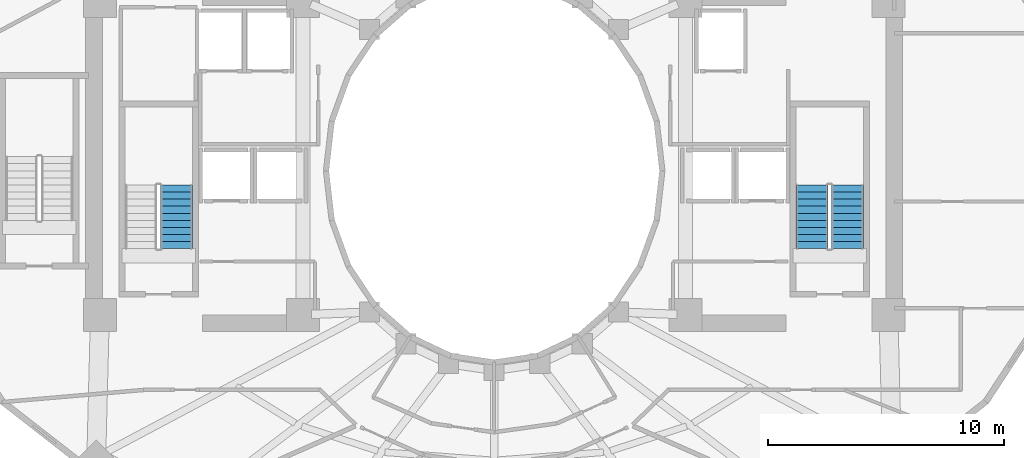
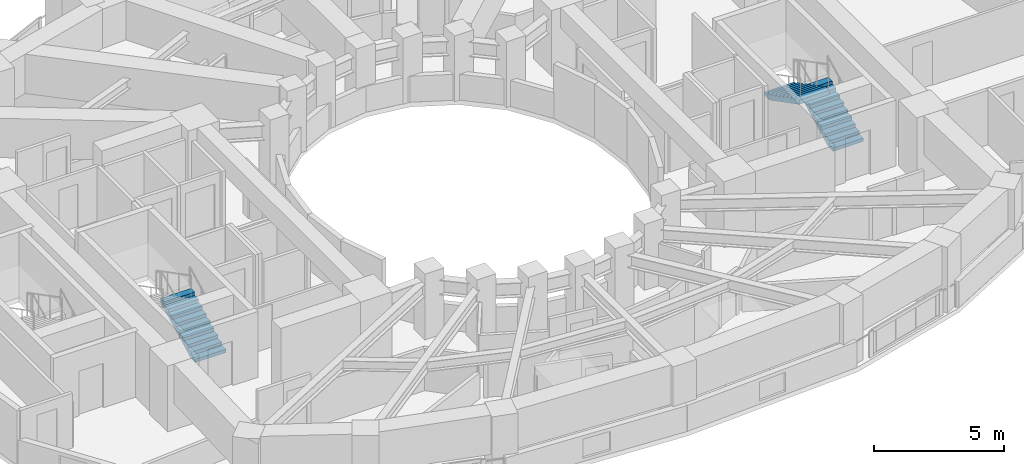
# One storey, part 13 of 16: 3 stair flights, 2 elements without a shape of their own.
"""IFC4 building model written with IfcOpenShell, lengths in metres."""

from ifc_helpers import new_model, si_unit, direction, frame, origin, place, context, subcontext, project, spatial, polyline, outline, extrude, material, type_object, element, aggregate, save


model = new_model("IFC4")

# Units and contexts
model_context = context("Model", 3, precision=1e-05, world=origin(), true_north=direction((0.0, 1.0)))
body_context = subcontext(model_context, "Body", "Model", "MODEL_VIEW")
ifc_project = project(units=[si_unit("LENGTHUNIT", "METRE"), si_unit("AREAUNIT", "SQUARE_METRE"), si_unit("VOLUMEUNIT", "CUBIC_METRE"), si_unit("PLANEANGLEUNIT", "RADIAN"), si_unit("MASSUNIT", "GRAM", prefix="KILO")], contexts=[model_context])

# Site, building, storey
site_placement = place(None, origin())
site = spatial("IfcSite", under=ifc_project, at=site_placement, CompositionType="ELEMENT")
building_placement = place(site_placement, origin())
building = spatial("IfcBuilding", under=site, at=building_placement, Name="Solvane Sanctuary Tower", CompositionType="ELEMENT")
storey_placement = place(building_placement, frame((0.0, 0.0, 119.699951171875)))
storey = spatial("IfcBuildingStorey", under=building, at=storey_placement, Name="L36", CompositionType="ELEMENT", Elevation=119.699951171875)

# Stair, stair flight
ifc_material = material(Name="Concrete C45/55", Category="concrete")
stair_type = type_object("IfcStairType", Name="Stair ST-TOW", PredefinedType="HALF_TURN_STAIR", material=ifc_material)
stair_1_placement = place(storey_placement, origin())
stair_1 = element("IfcStair", 1, at=stair_1_placement, inside=storey, type_object=stair_type, Name="L36 Exit Stair ST-1 West Core", PredefinedType="HALF_TURN_STAIR")
stair_flight_type = type_object("IfcStairFlightType", Name="StairFlight SF-TOW", PredefinedType="STRAIGHT", material=ifc_material)
stair_flight_1_placement = place(storey_placement, frame((18.544921875, 19.699951171875, 0.0), z_axis=(0.0, 0.0, 1.0), x_axis=(0.0, 1.0, 0.0)))
stair_flight_1 = element("IfcStairFlight", 2, at=stair_flight_1_placement, type_object=stair_flight_type, Name="ST-1 flight 1", NumberOfRisers=10, NumberOfTreads=9, PredefinedType="STRAIGHT", RiserHeight=0.155, TreadLength=0.3, context=body_context, shape_type="SweptSolid", body=[
    extrude(outline(polyline([(0.0, 0.0), (0.0, 0.155029296875), (0.300048828125, 0.155029296875), (0.300048828125, 0.31005859375), (0.60009765625, 0.31005859375), (0.60009765625, 0.465087890625), (0.89990234375, 0.465087890625), (0.89990234375, 0.6201171875), (1.199951171875, 0.6201171875), (1.199951171875, 0.77490234375), (1.5, 0.77490234375), (1.5, 0.929931640625), (1.800048828125, 0.929931640625), (1.800048828125, 1.0849609375), (2.10009765625, 1.0849609375), (2.10009765625, 1.239990234375), (2.39990234375, 1.239990234375), (2.39990234375, 1.39501953125), (2.699951171875, 1.39501953125), (2.699951171875, 1.550048828125), (2.699951171875, 1.1923828125), (0.39208984375, 0.0), (0.0, 0.0)])), frame((0.0, 0.675048828125, 0.0), z_axis=(0.0, -1.0, 0.0), x_axis=(1.0, 0.0, 0.0)), (0.0, 0.0, 1.0), 1.35009765625),
])
aggregate(stair_1, [stair_flight_1])

# Stair, stair flights
stair_2_placement = place(storey_placement, origin())
stair_2 = element("IfcStair", 3, at=stair_2_placement, inside=storey, type_object=stair_type, Name="L36 Exit Stair ST-2 East Core", PredefinedType="HALF_TURN_STAIR")
stair_flight_2_placement = place(storey_placement, frame((46.965087890625, 19.699951171875, 0.0), z_axis=(0.0, 0.0, 1.0), x_axis=(0.0, 1.0, 0.0)))
stair_flight_2 = element("IfcStairFlight", 4, at=stair_flight_2_placement, type_object=stair_flight_type, Name="ST-2 flight 1", NumberOfRisers=10, NumberOfTreads=9, PredefinedType="STRAIGHT", RiserHeight=0.155, TreadLength=0.3, context=body_context, shape_type="SweptSolid", body=[
    extrude(outline(polyline([(0.0, 0.0), (0.0, 0.155029296875), (0.300048828125, 0.155029296875), (0.300048828125, 0.31005859375), (0.60009765625, 0.31005859375), (0.60009765625, 0.465087890625), (0.89990234375, 0.465087890625), (0.89990234375, 0.6201171875), (1.199951171875, 0.6201171875), (1.199951171875, 0.77490234375), (1.5, 0.77490234375), (1.5, 0.929931640625), (1.800048828125, 0.929931640625), (1.800048828125, 1.0849609375), (2.10009765625, 1.0849609375), (2.10009765625, 1.239990234375), (2.39990234375, 1.239990234375), (2.39990234375, 1.39501953125), (2.699951171875, 1.39501953125), (2.699951171875, 1.550048828125), (2.699951171875, 1.1923828125), (0.39208984375, 0.0), (0.0, 0.0)])), frame((0.0, 0.675048828125, 0.0), z_axis=(0.0, -1.0, 0.0), x_axis=(1.0, 0.0, 0.0)), (0.0, 0.0, 1.0), 1.35009765625),
])
stair_flight_3_placement = place(storey_placement, frame((45.455078125, 22.39990234375, 1.550048828125), z_axis=(0.0, 0.0, 1.0), x_axis=(0.0, -1.0, 0.0)))
stair_flight_3 = element("IfcStairFlight", 5, at=stair_flight_3_placement, type_object=stair_flight_type, Name="ST-2 flight 2", NumberOfRisers=10, NumberOfTreads=9, PredefinedType="STRAIGHT", RiserHeight=0.155, TreadLength=0.3, context=body_context, shape_type="SweptSolid", body=[
    extrude(outline(polyline([(0.0, 0.0), (0.0, 0.155029296875), (0.300048828125, 0.155029296875), (0.300048828125, 0.31005859375), (0.60009765625, 0.31005859375), (0.60009765625, 0.465087890625), (0.89990234375, 0.465087890625), (0.89990234375, 0.6201171875), (1.199951171875, 0.6201171875), (1.199951171875, 0.77490234375), (1.5, 0.77490234375), (1.5, 0.929931640625), (1.800048828125, 0.929931640625), (1.800048828125, 1.0849609375), (2.10009765625, 1.0849609375), (2.10009765625, 1.239990234375), (2.39990234375, 1.239990234375), (2.39990234375, 1.39501953125), (2.699951171875, 1.39501953125), (2.699951171875, 1.550048828125), (2.699951171875, 1.1923828125), (0.39208984375, 0.0), (0.0, 0.0)])), frame((0.0, 0.675048828125, 0.0), z_axis=(0.0, -1.0, 0.0), x_axis=(1.0, 0.0, 0.0)), (0.0, 0.0, 1.0), 1.35009765625),
])
aggregate(stair_2, [stair_flight_2, stair_flight_3])

save(model, "model.ifc")
